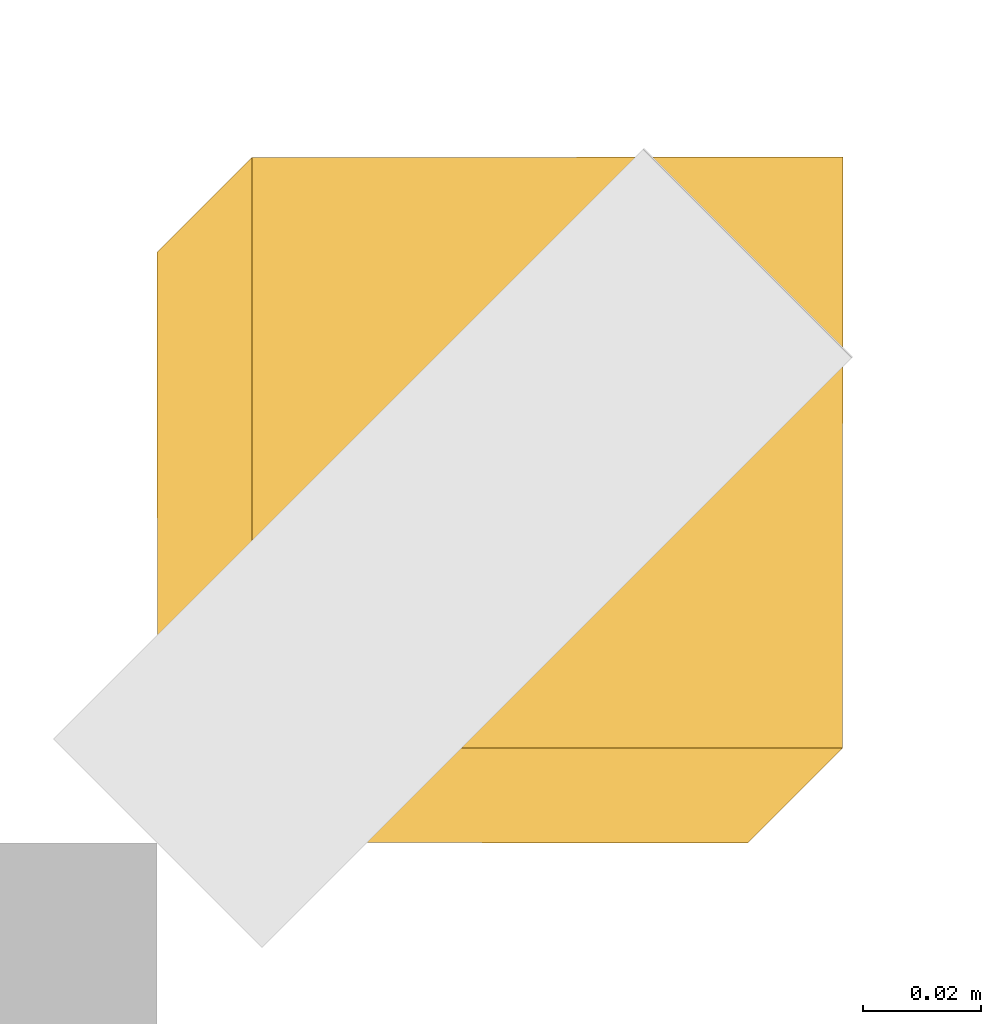
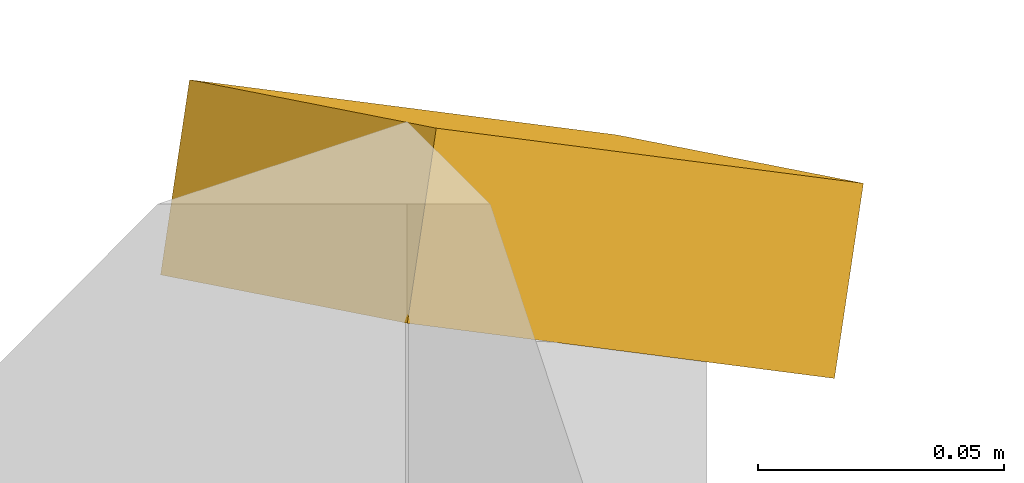
# One storey, part 52 of 54: 1 shading device.
"""IFC4 building model written with IfcOpenShell, lengths in metres."""

from ifc_helpers import new_model, si_unit, direction, frame, origin, place, context, subcontext, project, spatial, polyline, outline, extrude, material, layer, layer_set, type_object, element, save


model = new_model("IFC4")

# Units and contexts
model_context = context("Model", 3, precision=1e-05, world=origin(), true_north=direction((0.0, 1.0)))
body_context = subcontext(model_context, "Body", "Model", "MODEL_VIEW")
ifc_project = project(units=[si_unit("LENGTHUNIT", "METRE"), si_unit("AREAUNIT", "SQUARE_METRE"), si_unit("VOLUMEUNIT", "CUBIC_METRE"), si_unit("PLANEANGLEUNIT", "RADIAN"), si_unit("MASSUNIT", "GRAM", prefix="KILO")], contexts=[model_context])

# Site, building, storey
site_placement = place(None, origin())
site = spatial("IfcSite", under=ifc_project, at=site_placement, CompositionType="ELEMENT")
building_placement = place(site_placement, origin())
building = spatial("IfcBuilding", under=site, at=building_placement, Name="Ussher Court Research Institute", CompositionType="ELEMENT")
storey_placement = place(building_placement, frame((0.0, 0.0, 14.39990234375)))
storey = spatial("IfcBuildingStorey", under=building, at=storey_placement, Name="L03", CompositionType="ELEMENT", Elevation=14.39990234375)

# Shading device
ifc_material = material(Name="Bronze anodised aluminium", Category="aluminium")
ifc_layer = layer(ifc_material, 0.0400390625)
ifc_layer_set = layer_set([ifc_layer], Name="Bronze anodised aluminium")
shading_device_type = type_object("IfcShadingDeviceType", Name="Brim visor sheet 40 mm canted 26 deg wet", PredefinedType="USERDEFINED", material=ifc_layer_set)
shading_device_placement = place(storey_placement, frame((104.216064453125, 33.216064453125, 4.48291015625), z_axis=(0.400847757571, 0.400847757571, 0.823797396512), x_axis=(0.899269394429, -0.000362285341, -0.437395044544)))
element("IfcShadingDevice", 1, at=shading_device_placement, inside=storey, type_object=shading_device_type, Name="Brim visor sheet BR1 L03", ObjectType="BRIM", PredefinedType="USERDEFINED", context=body_context, shape_type="SweptSolid", body=[
    extrude(outline(polyline([(0.0, 0.0), (0.11126515272958254, 0.0), (0.13258606872546647, 0.10931209908468126), (0.021214130096336967, 0.10922405822982874), (0.0, 0.0)])), origin(), (0.0, 0.0, -1.0), 0.0400390625),
])

save(model, "model.ifc")
